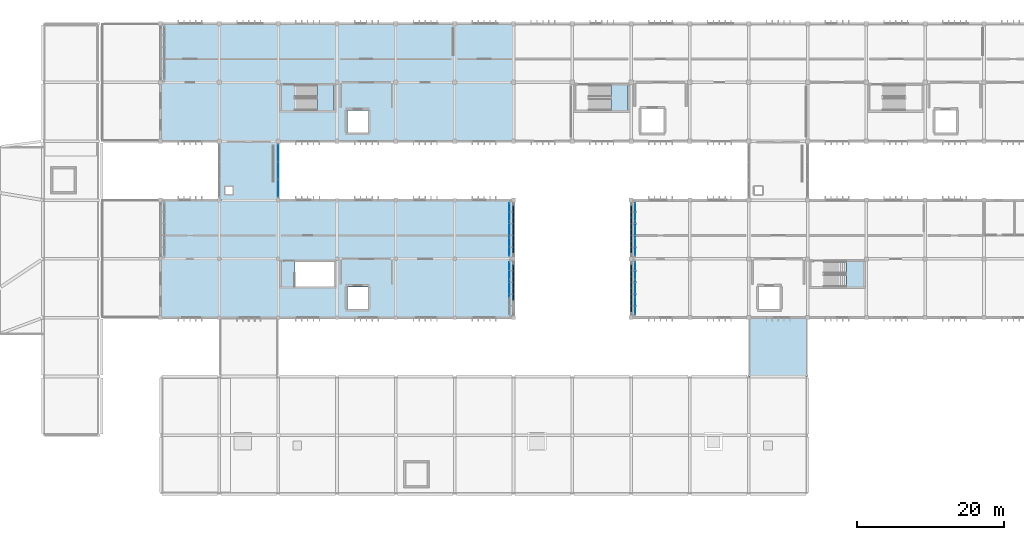
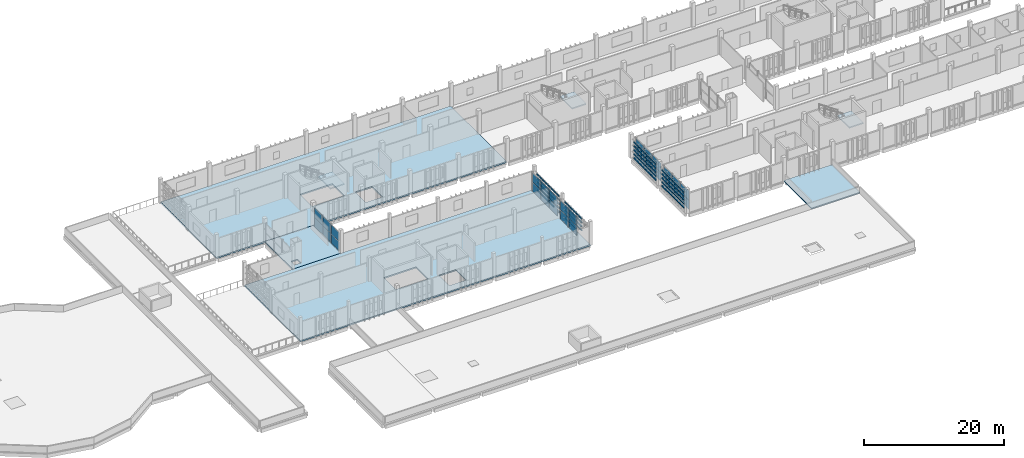
# One storey, part 28 of 48: 102 plates, 7 slabs, 8 elements without a shape of their own.
"""IFC4 building model written with IfcOpenShell, lengths in metres."""

from ifc_helpers import new_model, si_unit, direction, frame, origin, origin_2d, place, context, subcontext, project, spatial, polyline, rectangle, outline, extrude, material, layer, layer_set, type_object, element, aggregate, save


model = new_model("IFC4")

# Units and contexts
model_context = context("Model", 3, precision=1e-05, world=origin(), true_north=direction((0.0, 1.0)))
body_context = subcontext(model_context, "Body", "Model", "MODEL_VIEW")
ifc_project = project(units=[si_unit("LENGTHUNIT", "METRE"), si_unit("AREAUNIT", "SQUARE_METRE"), si_unit("VOLUMEUNIT", "CUBIC_METRE"), si_unit("PLANEANGLEUNIT", "RADIAN"), si_unit("MASSUNIT", "GRAM", prefix="KILO")], contexts=[model_context])

# Site, building, storey
site_placement = place(None, origin())
site = spatial("IfcSite", under=ifc_project, at=site_placement, CompositionType="ELEMENT")
building_placement = place(site_placement, origin())
building = spatial("IfcBuilding", under=site, at=building_placement, Name="Jelvoka-Kovrelna Polytechnic", CompositionType="ELEMENT")
storey_placement = place(building_placement, frame((0.0, 0.0, 22.199951171875)))
storey = spatial("IfcBuildingStorey", under=building, at=storey_placement, Name="L06", CompositionType="ELEMENT", Elevation=22.199951171875)

# Curtain wall, plates
ifc_material_1 = material(Name="Anodised aluminium 6063-T6", Category="aluminium")
ifc_layer_1 = layer(ifc_material_1, 0.159912109375)
ifc_layer_set_1 = layer_set([ifc_layer_1], Name="Anodised aluminium 6063-T6")
curtain_wall_type_1 = type_object("IfcCurtainWallType", Name="CW_Recessed_A", PredefinedType="NOTDEFINED", material=ifc_layer_set_1)
curtain_wall_1_placement = place(storey_placement, origin())
curtain_wall_1 = element("IfcCurtainWall", 1, at=curtain_wall_1_placement, inside=storey, type_object=curtain_wall_type_1, Name="L06 glazed curtain wall 036", PredefinedType="NOTDEFINED")
ifc_material_2 = material(Name="Solar-control double glazing", Category="glass")
ifc_layer_2 = layer(ifc_material_2, 0.028076171875)
ifc_layer_set_2 = layer_set([ifc_layer_2], Name="Solar-control double glazing")
plate_type_1 = type_object("IfcPlateType", Name="Panel_GP-01", PredefinedType="CURTAIN_PANEL", material=ifc_layer_set_2)
plate_1_placement = place(storey_placement, frame((111.43994140625, 38.385009765625, 0.052001953125), z_axis=(0.0, 0.0, 1.0), x_axis=(0.0, -1.0, 0.0)))
plate_1 = element("IfcPlate", 2, at=plate_1_placement, type_object=plate_type_1, Name="CW-01 panel 1.1", PredefinedType="CURTAIN_PANEL", context=body_context, shape_type="SweptSolid", body=[
    extrude(rectangle(XDim=2.326171875, YDim=0.028076171875, at=origin_2d()), origin(), (0.0, 0.0, 1.0), 1.60107421875),
])
plate_2_placement = place(storey_placement, frame((111.43994140625, 38.385009765625, 1.697021484375), z_axis=(0.0, 0.0, 1.0), x_axis=(0.0, -1.0, 0.0)))
plate_2 = element("IfcPlate", 3, at=plate_2_placement, type_object=plate_type_1, Name="CW-01 panel 1.2", PredefinedType="CURTAIN_PANEL", context=body_context, shape_type="SweptSolid", body=[
    extrude(rectangle(XDim=2.326171875, YDim=0.028076171875, at=origin_2d()), origin(), (0.0, 0.0, 1.0), 1.60107421875),
])
plate_3_placement = place(storey_placement, frame((111.43994140625, 36.0, 0.052001953125), z_axis=(0.0, 0.0, 1.0), x_axis=(0.0, -1.0, 0.0)))
plate_3 = element("IfcPlate", 4, at=plate_3_placement, type_object=plate_type_1, Name="CW-01 panel 2.1", PredefinedType="CURTAIN_PANEL", context=body_context, shape_type="SweptSolid", body=[
    extrude(rectangle(XDim=2.356201171875, YDim=0.028076171875, at=origin_2d()), origin(), (0.0, 0.0, 1.0), 1.60107421875),
])
plate_4_placement = place(storey_placement, frame((111.43994140625, 36.0, 1.697021484375), z_axis=(0.0, 0.0, 1.0), x_axis=(0.0, -1.0, 0.0)))
plate_4 = element("IfcPlate", 5, at=plate_4_placement, type_object=plate_type_1, Name="CW-01 panel 2.2", PredefinedType="CURTAIN_PANEL", context=body_context, shape_type="SweptSolid", body=[
    extrude(rectangle(XDim=2.356201171875, YDim=0.028076171875, at=origin_2d()), origin(), (0.0, 0.0, 1.0), 1.60107421875),
])
aggregate(curtain_wall_1, [plate_1, plate_2, plate_3, plate_4])

curtain_wall_2_placement = place(storey_placement, origin())
curtain_wall_2 = element("IfcCurtainWall", 6, at=curtain_wall_2_placement, inside=storey, type_object=curtain_wall_type_1, Name="L06 glazed curtain wall 037", PredefinedType="NOTDEFINED")
plate_5_placement = place(storey_placement, frame((111.43994140625, 46.385009765625, 0.052001953125), z_axis=(0.0, 0.0, 1.0), x_axis=(0.0, -1.0, 0.0)))
plate_5 = element("IfcPlate", 7, at=plate_5_placement, type_object=plate_type_1, Name="CW-01 panel 1.1", PredefinedType="CURTAIN_PANEL", context=body_context, shape_type="SweptSolid", body=[
    extrude(rectangle(XDim=2.326171875, YDim=0.028076171875, at=origin_2d()), origin(), (0.0, 0.0, 1.0), 1.60107421875),
])
plate_6_placement = place(storey_placement, frame((111.43994140625, 46.385009765625, 1.697021484375), z_axis=(0.0, 0.0, 1.0), x_axis=(0.0, -1.0, 0.0)))
plate_6 = element("IfcPlate", 8, at=plate_6_placement, type_object=plate_type_1, Name="CW-01 panel 1.2", PredefinedType="CURTAIN_PANEL", context=body_context, shape_type="SweptSolid", body=[
    extrude(rectangle(XDim=2.326171875, YDim=0.028076171875, at=origin_2d()), origin(), (0.0, 0.0, 1.0), 1.60107421875),
])
plate_7_placement = place(storey_placement, frame((111.43994140625, 44.0, 0.052001953125), z_axis=(0.0, 0.0, 1.0), x_axis=(0.0, -1.0, 0.0)))
plate_7 = element("IfcPlate", 9, at=plate_7_placement, type_object=plate_type_1, Name="CW-01 panel 2.1", PredefinedType="CURTAIN_PANEL", context=body_context, shape_type="SweptSolid", body=[
    extrude(rectangle(XDim=2.356201171875, YDim=0.028076171875, at=origin_2d()), origin(), (0.0, 0.0, 1.0), 1.60107421875),
])
plate_8_placement = place(storey_placement, frame((111.43994140625, 44.0, 1.697021484375), z_axis=(0.0, 0.0, 1.0), x_axis=(0.0, -1.0, 0.0)))
plate_8 = element("IfcPlate", 10, at=plate_8_placement, type_object=plate_type_1, Name="CW-01 panel 2.2", PredefinedType="CURTAIN_PANEL", context=body_context, shape_type="SweptSolid", body=[
    extrude(rectangle(XDim=2.356201171875, YDim=0.028076171875, at=origin_2d()), origin(), (0.0, 0.0, 1.0), 1.60107421875),
])
plate_9_placement = place(storey_placement, frame((111.43994140625, 41.614990234375, 0.052001953125), z_axis=(0.0, 0.0, 1.0), x_axis=(0.0, -1.0, 0.0)))
plate_9 = element("IfcPlate", 11, at=plate_9_placement, type_object=plate_type_1, Name="CW-01 panel 3.1", PredefinedType="CURTAIN_PANEL", context=body_context, shape_type="SweptSolid", body=[
    extrude(rectangle(XDim=2.326171875, YDim=0.028076171875, at=origin_2d()), origin(), (0.0, 0.0, 1.0), 1.60107421875),
])
plate_10_placement = place(storey_placement, frame((111.43994140625, 41.614990234375, 1.697021484375), z_axis=(0.0, 0.0, 1.0), x_axis=(0.0, -1.0, 0.0)))
plate_10 = element("IfcPlate", 12, at=plate_10_placement, type_object=plate_type_1, Name="CW-01 panel 3.2", PredefinedType="CURTAIN_PANEL", context=body_context, shape_type="SweptSolid", body=[
    extrude(rectangle(XDim=2.326171875, YDim=0.028076171875, at=origin_2d()), origin(), (0.0, 0.0, 1.0), 1.60107421875),
])
aggregate(curtain_wall_2, [plate_5, plate_6, plate_7, plate_8, plate_9, plate_10])

curtain_wall_3_placement = place(storey_placement, origin())
curtain_wall_3 = element("IfcCurtainWall", 13, at=curtain_wall_3_placement, inside=storey, type_object=curtain_wall_type_1, Name="L06 glazed curtain wall 074", PredefinedType="NOTDEFINED")
plate_11_placement = place(storey_placement, frame((128.56005859375, 33.614990234375, 0.052001953125), z_axis=(0.0, 0.0, 1.0), x_axis=(0.0, 1.0, 0.0)))
plate_11 = element("IfcPlate", 14, at=plate_11_placement, type_object=plate_type_1, Name="CW-01 panel 1.1", PredefinedType="CURTAIN_PANEL", context=body_context, shape_type="SweptSolid", body=[
    extrude(rectangle(XDim=2.326171875, YDim=0.028076171875, at=origin_2d()), origin(), (0.0, 0.0, 1.0), 1.60107421875),
])
plate_12_placement = place(storey_placement, frame((128.56005859375, 33.614990234375, 1.697021484375), z_axis=(0.0, 0.0, 1.0), x_axis=(0.0, 1.0, 0.0)))
plate_12 = element("IfcPlate", 15, at=plate_12_placement, type_object=plate_type_1, Name="CW-01 panel 1.2", PredefinedType="CURTAIN_PANEL", context=body_context, shape_type="SweptSolid", body=[
    extrude(rectangle(XDim=2.326171875, YDim=0.028076171875, at=origin_2d()), origin(), (0.0, 0.0, 1.0), 1.60107421875),
])
plate_13_placement = place(storey_placement, frame((128.56005859375, 36.0, 0.052001953125), z_axis=(0.0, 0.0, 1.0), x_axis=(0.0, 1.0, 0.0)))
plate_13 = element("IfcPlate", 16, at=plate_13_placement, type_object=plate_type_1, Name="CW-01 panel 2.1", PredefinedType="CURTAIN_PANEL", context=body_context, shape_type="SweptSolid", body=[
    extrude(rectangle(XDim=2.356201171875, YDim=0.028076171875, at=origin_2d()), origin(), (0.0, 0.0, 1.0), 1.60107421875),
])
plate_14_placement = place(storey_placement, frame((128.56005859375, 36.0, 1.697021484375), z_axis=(0.0, 0.0, 1.0), x_axis=(0.0, 1.0, 0.0)))
plate_14 = element("IfcPlate", 17, at=plate_14_placement, type_object=plate_type_1, Name="CW-01 panel 2.2", PredefinedType="CURTAIN_PANEL", context=body_context, shape_type="SweptSolid", body=[
    extrude(rectangle(XDim=2.356201171875, YDim=0.028076171875, at=origin_2d()), origin(), (0.0, 0.0, 1.0), 1.60107421875),
])
plate_15_placement = place(storey_placement, frame((128.56005859375, 38.385009765625, 0.052001953125), z_axis=(0.0, 0.0, 1.0), x_axis=(0.0, 1.0, 0.0)))
plate_15 = element("IfcPlate", 18, at=plate_15_placement, type_object=plate_type_1, Name="CW-01 panel 3.1", PredefinedType="CURTAIN_PANEL", context=body_context, shape_type="SweptSolid", body=[
    extrude(rectangle(XDim=2.326171875, YDim=0.028076171875, at=origin_2d()), origin(), (0.0, 0.0, 1.0), 1.60107421875),
])
plate_16_placement = place(storey_placement, frame((128.56005859375, 38.385009765625, 1.697021484375), z_axis=(0.0, 0.0, 1.0), x_axis=(0.0, 1.0, 0.0)))
plate_16 = element("IfcPlate", 19, at=plate_16_placement, type_object=plate_type_1, Name="CW-01 panel 3.2", PredefinedType="CURTAIN_PANEL", context=body_context, shape_type="SweptSolid", body=[
    extrude(rectangle(XDim=2.326171875, YDim=0.028076171875, at=origin_2d()), origin(), (0.0, 0.0, 1.0), 1.60107421875),
])
aggregate(curtain_wall_3, [plate_11, plate_12, plate_13, plate_14, plate_15, plate_16])

curtain_wall_4_placement = place(storey_placement, origin())
curtain_wall_4 = element("IfcCurtainWall", 20, at=curtain_wall_4_placement, inside=storey, type_object=curtain_wall_type_1, Name="L06 glazed curtain wall 075", PredefinedType="NOTDEFINED")
plate_17_placement = place(storey_placement, frame((128.56005859375, 41.614990234375, 0.052001953125), z_axis=(0.0, 0.0, 1.0), x_axis=(0.0, 1.0, 0.0)))
plate_17 = element("IfcPlate", 21, at=plate_17_placement, type_object=plate_type_1, Name="CW-01 panel 1.1", PredefinedType="CURTAIN_PANEL", context=body_context, shape_type="SweptSolid", body=[
    extrude(rectangle(XDim=2.326171875, YDim=0.028076171875, at=origin_2d()), origin(), (0.0, 0.0, 1.0), 1.60107421875),
])
plate_18_placement = place(storey_placement, frame((128.56005859375, 41.614990234375, 1.697021484375), z_axis=(0.0, 0.0, 1.0), x_axis=(0.0, 1.0, 0.0)))
plate_18 = element("IfcPlate", 22, at=plate_18_placement, type_object=plate_type_1, Name="CW-01 panel 1.2", PredefinedType="CURTAIN_PANEL", context=body_context, shape_type="SweptSolid", body=[
    extrude(rectangle(XDim=2.326171875, YDim=0.028076171875, at=origin_2d()), origin(), (0.0, 0.0, 1.0), 1.60107421875),
])
plate_19_placement = place(storey_placement, frame((128.56005859375, 44.0, 0.052001953125), z_axis=(0.0, 0.0, 1.0), x_axis=(0.0, 1.0, 0.0)))
plate_19 = element("IfcPlate", 23, at=plate_19_placement, type_object=plate_type_1, Name="CW-01 panel 2.1", PredefinedType="CURTAIN_PANEL", context=body_context, shape_type="SweptSolid", body=[
    extrude(rectangle(XDim=2.356201171875, YDim=0.028076171875, at=origin_2d()), origin(), (0.0, 0.0, 1.0), 1.60107421875),
])
plate_20_placement = place(storey_placement, frame((128.56005859375, 44.0, 1.697021484375), z_axis=(0.0, 0.0, 1.0), x_axis=(0.0, 1.0, 0.0)))
plate_20 = element("IfcPlate", 24, at=plate_20_placement, type_object=plate_type_1, Name="CW-01 panel 2.2", PredefinedType="CURTAIN_PANEL", context=body_context, shape_type="SweptSolid", body=[
    extrude(rectangle(XDim=2.356201171875, YDim=0.028076171875, at=origin_2d()), origin(), (0.0, 0.0, 1.0), 1.60107421875),
])
plate_21_placement = place(storey_placement, frame((128.56005859375, 46.385009765625, 0.052001953125), z_axis=(0.0, 0.0, 1.0), x_axis=(0.0, 1.0, 0.0)))
plate_21 = element("IfcPlate", 25, at=plate_21_placement, type_object=plate_type_1, Name="CW-01 panel 3.1", PredefinedType="CURTAIN_PANEL", context=body_context, shape_type="SweptSolid", body=[
    extrude(rectangle(XDim=2.326171875, YDim=0.028076171875, at=origin_2d()), origin(), (0.0, 0.0, 1.0), 1.60107421875),
])
plate_22_placement = place(storey_placement, frame((128.56005859375, 46.385009765625, 1.697021484375), z_axis=(0.0, 0.0, 1.0), x_axis=(0.0, 1.0, 0.0)))
plate_22 = element("IfcPlate", 26, at=plate_22_placement, type_object=plate_type_1, Name="CW-01 panel 3.2", PredefinedType="CURTAIN_PANEL", context=body_context, shape_type="SweptSolid", body=[
    extrude(rectangle(XDim=2.326171875, YDim=0.028076171875, at=origin_2d()), origin(), (0.0, 0.0, 1.0), 1.60107421875),
])
aggregate(curtain_wall_4, [plate_17, plate_18, plate_19, plate_20, plate_21, plate_22])

ifc_material_3 = material(Name="Anodised aluminium 6063-T6", Category="aluminium")
ifc_layer_3 = layer(ifc_material_3, 0.159912109375)
ifc_layer_set_3 = layer_set([ifc_layer_3], Name="Anodised aluminium 6063-T6")
curtain_wall_type_2 = type_object("IfcCurtainWallType", Name="CW_LinkBridge", PredefinedType="NOTDEFINED", material=ifc_layer_set_3)
curtain_wall_5_placement = place(storey_placement, origin())
curtain_wall_5 = element("IfcCurtainWall", 27, at=curtain_wall_5_placement, inside=storey, type_object=curtain_wall_type_2, Name="L06 glazed curtain wall 160", PredefinedType="NOTDEFINED")
ifc_material_4 = material(Name="Solar-control double glazing", Category="glass")
ifc_layer_4 = layer(ifc_material_4, 0.02392578125)
ifc_layer_set_4 = layer_set([ifc_layer_4], Name="Solar-control double glazing")
plate_type_2 = type_object("IfcPlateType", Name="Panel_GP-04", PredefinedType="CURTAIN_PANEL", material=ifc_layer_set_4)
plate_23_placement = place(storey_placement, frame((80.0, 54.385009765625, 0.052001953125), z_axis=(0.0, 0.0, 1.0), x_axis=(0.0, -1.0, 0.0)))
plate_23 = element("IfcPlate", 28, at=plate_23_placement, type_object=plate_type_2, Name="CW-04 panel 1.1", PredefinedType="CURTAIN_PANEL", context=body_context, shape_type="SweptSolid", body=[
    extrude(rectangle(XDim=2.326171875, YDim=0.02392578125, at=origin_2d()), origin(), (0.0, 0.0, 1.0), 1.60107421875),
])
plate_24_placement = place(storey_placement, frame((80.0, 54.385009765625, 1.697021484375), z_axis=(0.0, 0.0, 1.0), x_axis=(0.0, -1.0, 0.0)))
plate_24 = element("IfcPlate", 29, at=plate_24_placement, type_object=plate_type_2, Name="CW-04 panel 1.2", PredefinedType="CURTAIN_PANEL", context=body_context, shape_type="SweptSolid", body=[
    extrude(rectangle(XDim=2.326171875, YDim=0.02392578125, at=origin_2d()), origin(), (0.0, 0.0, 1.0), 1.60107421875),
])
plate_25_placement = place(storey_placement, frame((80.0, 52.0, 0.052001953125), z_axis=(0.0, 0.0, 1.0), x_axis=(0.0, -1.0, 0.0)))
plate_25 = element("IfcPlate", 30, at=plate_25_placement, type_object=plate_type_2, Name="CW-04 panel 2.1", PredefinedType="CURTAIN_PANEL", context=body_context, shape_type="SweptSolid", body=[
    extrude(rectangle(XDim=2.356201171875, YDim=0.02392578125, at=origin_2d()), origin(), (0.0, 0.0, 1.0), 1.60107421875),
])
plate_26_placement = place(storey_placement, frame((80.0, 52.0, 1.697021484375), z_axis=(0.0, 0.0, 1.0), x_axis=(0.0, -1.0, 0.0)))
plate_26 = element("IfcPlate", 31, at=plate_26_placement, type_object=plate_type_2, Name="CW-04 panel 2.2", PredefinedType="CURTAIN_PANEL", context=body_context, shape_type="SweptSolid", body=[
    extrude(rectangle(XDim=2.356201171875, YDim=0.02392578125, at=origin_2d()), origin(), (0.0, 0.0, 1.0), 1.60107421875),
])
plate_27_placement = place(storey_placement, frame((80.0, 49.614990234375, 0.052001953125), z_axis=(0.0, 0.0, 1.0), x_axis=(0.0, -1.0, 0.0)))
plate_27 = element("IfcPlate", 32, at=plate_27_placement, type_object=plate_type_2, Name="CW-04 panel 3.1", PredefinedType="CURTAIN_PANEL", context=body_context, shape_type="SweptSolid", body=[
    extrude(rectangle(XDim=2.326171875, YDim=0.02392578125, at=origin_2d()), origin(), (0.0, 0.0, 1.0), 1.60107421875),
])
plate_28_placement = place(storey_placement, frame((80.0, 49.614990234375, 1.697021484375), z_axis=(0.0, 0.0, 1.0), x_axis=(0.0, -1.0, 0.0)))
plate_28 = element("IfcPlate", 33, at=plate_28_placement, type_object=plate_type_2, Name="CW-04 panel 3.2", PredefinedType="CURTAIN_PANEL", context=body_context, shape_type="SweptSolid", body=[
    extrude(rectangle(XDim=2.326171875, YDim=0.02392578125, at=origin_2d()), origin(), (0.0, 0.0, 1.0), 1.60107421875),
])
aggregate(curtain_wall_5, [plate_23, plate_24, plate_25, plate_26, plate_27, plate_28])

# Plates
ifc_material_5 = material(Name="Perforated fired terracotta block", Category="masonry")
ifc_layer_5 = layer(ifc_material_5, 0.159912109375)
ifc_layer_set_5 = layer_set([ifc_layer_5], Name="Perforated fired terracotta block")
plate_type_3 = type_object("IfcPlateType", Name="Screen_Terracotta_TP01", PredefinedType="USERDEFINED", material=ifc_layer_set_5)
for number, where, z_axis, x_axis, name in (
    (34, (111.97998046875, 35.199951171875, 0.892578125), (0.0, 0.0, 1.0), (0.0, 1.0, 0.0), "L06 perforated terracotta lattice band 0387"),
    (35, (111.97998046875, 35.199951171875, 1.5849609375), (0.0, 0.0, 1.0), (0.0, 1.0, 0.0), "L06 perforated terracotta lattice band 0388"),
    (36, (111.97998046875, 35.199951171875, 2.27734375), (0.0, 0.0, 1.0), (0.0, 1.0, 0.0), "L06 perforated terracotta lattice band 0389"),
    (37, (111.97998046875, 35.199951171875, 2.97021484375), (0.0, 0.0, 1.0), (0.0, 1.0, 0.0), "L06 perforated terracotta lattice band 0390"),
    (38, (111.97998046875, 36.800048828125, 0.2001953125), (0.0, 0.0, 1.0), (0.0, 1.0, 0.0), "L06 perforated terracotta lattice band 0391"),
    (39, (111.97998046875, 36.800048828125, 0.892578125), (0.0, 0.0, 1.0), (0.0, 1.0, 0.0), "L06 perforated terracotta lattice band 0392"),
    (40, (111.97998046875, 36.800048828125, 1.5849609375), (0.0, 0.0, 1.0), (0.0, 1.0, 0.0), "L06 perforated terracotta lattice band 0393"),
    (41, (111.97998046875, 36.800048828125, 2.27734375), (0.0, 0.0, 1.0), (0.0, 1.0, 0.0), "L06 perforated terracotta lattice band 0394"),
    (42, (111.97998046875, 36.800048828125, 2.97021484375), (0.0, 0.0, 1.0), (0.0, 1.0, 0.0), "L06 perforated terracotta lattice band 0395"),
    (43, (111.97998046875, 38.39990234375, 0.2001953125), (0.0, 0.0, 1.0), (0.0, 1.0, 0.0), "L06 perforated terracotta lattice band 0396"),
    (44, (111.97998046875, 38.39990234375, 0.892578125), (0.0, 0.0, 1.0), (0.0, 1.0, 0.0), "L06 perforated terracotta lattice band 0397"),
    (45, (111.97998046875, 38.39990234375, 1.5849609375), (0.0, 0.0, 1.0), (0.0, 1.0, 0.0), "L06 perforated terracotta lattice band 0398"),
    (46, (111.97998046875, 38.39990234375, 2.27734375), (0.0, 0.0, 1.0), (0.0, 1.0, 0.0), "L06 perforated terracotta lattice band 0399"),
    (47, (111.97998046875, 38.39990234375, 2.97021484375), (0.0, 0.0, 1.0), (0.0, 1.0, 0.0), "L06 perforated terracotta lattice band 0400"),
    (48, (111.97998046875, 41.60009765625, 0.2001953125), (0.0, 0.0, 1.0), (0.0, 1.0, 0.0), "L06 perforated terracotta lattice band 0401"),
    (49, (111.97998046875, 41.60009765625, 0.892578125), (0.0, 0.0, 1.0), (0.0, 1.0, 0.0), "L06 perforated terracotta lattice band 0402"),
    (50, (111.97998046875, 41.60009765625, 1.5849609375), (0.0, 0.0, 1.0), (0.0, 1.0, 0.0), "L06 perforated terracotta lattice band 0403"),
    (51, (111.97998046875, 41.60009765625, 2.27734375), (0.0, 0.0, 1.0), (0.0, 1.0, 0.0), "L06 perforated terracotta lattice band 0404"),
    (52, (111.97998046875, 41.60009765625, 2.97021484375), (0.0, 0.0, 1.0), (0.0, 1.0, 0.0), "L06 perforated terracotta lattice band 0405"),
    (53, (111.97998046875, 43.199951171875, 0.2001953125), (0.0, 0.0, 1.0), (0.0, 1.0, 0.0), "L06 perforated terracotta lattice band 0406"),
    (54, (111.97998046875, 43.199951171875, 0.892578125), (0.0, 0.0, 1.0), (0.0, 1.0, 0.0), "L06 perforated terracotta lattice band 0407"),
    (55, (111.97998046875, 43.199951171875, 1.5849609375), (0.0, 0.0, 1.0), (0.0, 1.0, 0.0), "L06 perforated terracotta lattice band 0408"),
    (56, (111.97998046875, 43.199951171875, 2.27734375), (0.0, 0.0, 1.0), (0.0, 1.0, 0.0), "L06 perforated terracotta lattice band 0409"),
    (57, (111.97998046875, 43.199951171875, 2.97021484375), (0.0, 0.0, 1.0), (0.0, 1.0, 0.0), "L06 perforated terracotta lattice band 0410"),
    (58, (111.97998046875, 44.800048828125, 0.2001953125), (0.0, 0.0, 1.0), (0.0, 1.0, 0.0), "L06 perforated terracotta lattice band 0411"),
    (59, (111.97998046875, 44.800048828125, 0.892578125), (0.0, 0.0, 1.0), (0.0, 1.0, 0.0), "L06 perforated terracotta lattice band 0412"),
    (60, (111.97998046875, 44.800048828125, 1.5849609375), (0.0, 0.0, 1.0), (0.0, 1.0, 0.0), "L06 perforated terracotta lattice band 0413"),
    (61, (111.97998046875, 44.800048828125, 2.27734375), (0.0, 0.0, 1.0), (0.0, 1.0, 0.0), "L06 perforated terracotta lattice band 0414"),
    (62, (111.97998046875, 44.800048828125, 2.97021484375), (0.0, 0.0, 1.0), (0.0, 1.0, 0.0), "L06 perforated terracotta lattice band 0415"),
    (63, (111.97998046875, 46.39990234375, 0.2001953125), (0.0, 0.0, 1.0), (0.0, 1.0, 0.0), "L06 perforated terracotta lattice band 0416"),
    (64, (111.97998046875, 46.39990234375, 0.892578125), (0.0, 0.0, 1.0), (0.0, 1.0, 0.0), "L06 perforated terracotta lattice band 0417"),
    (65, (111.97998046875, 46.39990234375, 1.5849609375), (0.0, 0.0, 1.0), (0.0, 1.0, 0.0), "L06 perforated terracotta lattice band 0418"),
    (66, (111.97998046875, 46.39990234375, 2.27734375), (0.0, 0.0, 1.0), (0.0, 1.0, 0.0), "L06 perforated terracotta lattice band 0419"),
    (67, (111.97998046875, 46.39990234375, 2.97021484375), (0.0, 0.0, 1.0), (0.0, 1.0, 0.0), "L06 perforated terracotta lattice band 0420"),
):
    element("IfcPlate", number, at=place(storey_placement, frame(where, z_axis=z_axis, x_axis=x_axis)), inside=storey, type_object=plate_type_3, Name=name, ObjectType="SCREEN PANEL", PredefinedType="USERDEFINED", context=body_context, shape_type="SweptSolid", body=[
        extrude(rectangle(XDim=1.60009765625, YDim=0.159912109375, at=origin_2d()), origin(), (0.0, 0.0, 1.0), 0.239990234375),
    ])
ifc_material_6 = material(Name="Perforated fired terracotta block", Category="masonry")
ifc_layer_6 = layer(ifc_material_6, 0.179931640625)
ifc_layer_set_6 = layer_set([ifc_layer_6], Name="Perforated fired terracotta block")
plate_type_4 = type_object("IfcPlateType", Name="Screen_Terracotta_TP02", PredefinedType="USERDEFINED", material=ifc_layer_set_6)
for number, where, z_axis, x_axis, name in (
    (68, (128.02001953125, 33.60009765625, 0.2001953125), (0.0, 0.0, 1.0), (0.0, 1.0, 0.0), "L06 perforated terracotta lattice band 0821"),
    (69, (128.02001953125, 33.60009765625, 0.892578125), (0.0, 0.0, 1.0), (0.0, 1.0, 0.0), "L06 perforated terracotta lattice band 0822"),
    (70, (128.02001953125, 33.60009765625, 1.5849609375), (0.0, 0.0, 1.0), (0.0, 1.0, 0.0), "L06 perforated terracotta lattice band 0823"),
    (71, (128.02001953125, 33.60009765625, 2.27734375), (0.0, 0.0, 1.0), (0.0, 1.0, 0.0), "L06 perforated terracotta lattice band 0824"),
    (72, (128.02001953125, 33.60009765625, 2.97021484375), (0.0, 0.0, 1.0), (0.0, 1.0, 0.0), "L06 perforated terracotta lattice band 0825"),
    (73, (128.02001953125, 35.199951171875, 0.2001953125), (0.0, 0.0, 1.0), (0.0, 1.0, 0.0), "L06 perforated terracotta lattice band 0826"),
    (74, (128.02001953125, 35.199951171875, 0.892578125), (0.0, 0.0, 1.0), (0.0, 1.0, 0.0), "L06 perforated terracotta lattice band 0827"),
    (75, (128.02001953125, 35.199951171875, 1.5849609375), (0.0, 0.0, 1.0), (0.0, 1.0, 0.0), "L06 perforated terracotta lattice band 0828"),
    (76, (128.02001953125, 35.199951171875, 2.27734375), (0.0, 0.0, 1.0), (0.0, 1.0, 0.0), "L06 perforated terracotta lattice band 0829"),
    (77, (128.02001953125, 35.199951171875, 2.97021484375), (0.0, 0.0, 1.0), (0.0, 1.0, 0.0), "L06 perforated terracotta lattice band 0830"),
    (78, (128.02001953125, 36.800048828125, 0.2001953125), (0.0, 0.0, 1.0), (0.0, 1.0, 0.0), "L06 perforated terracotta lattice band 0831"),
    (79, (128.02001953125, 36.800048828125, 0.892578125), (0.0, 0.0, 1.0), (0.0, 1.0, 0.0), "L06 perforated terracotta lattice band 0832"),
    (80, (128.02001953125, 36.800048828125, 1.5849609375), (0.0, 0.0, 1.0), (0.0, 1.0, 0.0), "L06 perforated terracotta lattice band 0833"),
    (81, (128.02001953125, 36.800048828125, 2.27734375), (0.0, 0.0, 1.0), (0.0, 1.0, 0.0), "L06 perforated terracotta lattice band 0834"),
    (82, (128.02001953125, 36.800048828125, 2.97021484375), (0.0, 0.0, 1.0), (0.0, 1.0, 0.0), "L06 perforated terracotta lattice band 0835"),
    (83, (128.02001953125, 38.39990234375, 0.2001953125), (0.0, 0.0, 1.0), (0.0, 1.0, 0.0), "L06 perforated terracotta lattice band 0836"),
    (84, (128.02001953125, 38.39990234375, 0.892578125), (0.0, 0.0, 1.0), (0.0, 1.0, 0.0), "L06 perforated terracotta lattice band 0837"),
    (85, (128.02001953125, 38.39990234375, 1.5849609375), (0.0, 0.0, 1.0), (0.0, 1.0, 0.0), "L06 perforated terracotta lattice band 0838"),
    (86, (128.02001953125, 38.39990234375, 2.27734375), (0.0, 0.0, 1.0), (0.0, 1.0, 0.0), "L06 perforated terracotta lattice band 0839"),
    (87, (128.02001953125, 38.39990234375, 2.97021484375), (0.0, 0.0, 1.0), (0.0, 1.0, 0.0), "L06 perforated terracotta lattice band 0840"),
    (88, (128.02001953125, 41.60009765625, 0.2001953125), (0.0, 0.0, 1.0), (0.0, 1.0, 0.0), "L06 perforated terracotta lattice band 0841"),
    (89, (128.02001953125, 41.60009765625, 0.892578125), (0.0, 0.0, 1.0), (0.0, 1.0, 0.0), "L06 perforated terracotta lattice band 0842"),
    (90, (128.02001953125, 41.60009765625, 1.5849609375), (0.0, 0.0, 1.0), (0.0, 1.0, 0.0), "L06 perforated terracotta lattice band 0843"),
    (91, (128.02001953125, 41.60009765625, 2.27734375), (0.0, 0.0, 1.0), (0.0, 1.0, 0.0), "L06 perforated terracotta lattice band 0844"),
    (92, (128.02001953125, 41.60009765625, 2.97021484375), (0.0, 0.0, 1.0), (0.0, 1.0, 0.0), "L06 perforated terracotta lattice band 0845"),
    (93, (128.02001953125, 43.199951171875, 0.2001953125), (0.0, 0.0, 1.0), (0.0, 1.0, 0.0), "L06 perforated terracotta lattice band 0846"),
    (94, (128.02001953125, 43.199951171875, 0.892578125), (0.0, 0.0, 1.0), (0.0, 1.0, 0.0), "L06 perforated terracotta lattice band 0847"),
    (95, (128.02001953125, 43.199951171875, 1.5849609375), (0.0, 0.0, 1.0), (0.0, 1.0, 0.0), "L06 perforated terracotta lattice band 0848"),
    (96, (128.02001953125, 43.199951171875, 2.27734375), (0.0, 0.0, 1.0), (0.0, 1.0, 0.0), "L06 perforated terracotta lattice band 0849"),
    (97, (128.02001953125, 43.199951171875, 2.97021484375), (0.0, 0.0, 1.0), (0.0, 1.0, 0.0), "L06 perforated terracotta lattice band 0850"),
    (98, (128.02001953125, 44.800048828125, 0.2001953125), (0.0, 0.0, 1.0), (0.0, 1.0, 0.0), "L06 perforated terracotta lattice band 0851"),
    (99, (128.02001953125, 44.800048828125, 0.892578125), (0.0, 0.0, 1.0), (0.0, 1.0, 0.0), "L06 perforated terracotta lattice band 0852"),
    (100, (128.02001953125, 44.800048828125, 1.5849609375), (0.0, 0.0, 1.0), (0.0, 1.0, 0.0), "L06 perforated terracotta lattice band 0853"),
    (101, (128.02001953125, 44.800048828125, 2.27734375), (0.0, 0.0, 1.0), (0.0, 1.0, 0.0), "L06 perforated terracotta lattice band 0854"),
    (102, (128.02001953125, 44.800048828125, 2.97021484375), (0.0, 0.0, 1.0), (0.0, 1.0, 0.0), "L06 perforated terracotta lattice band 0855"),
    (103, (128.02001953125, 46.39990234375, 0.2001953125), (0.0, 0.0, 1.0), (0.0, 1.0, 0.0), "L06 perforated terracotta lattice band 0856"),
    (104, (128.02001953125, 46.39990234375, 0.892578125), (0.0, 0.0, 1.0), (0.0, 1.0, 0.0), "L06 perforated terracotta lattice band 0857"),
    (105, (128.02001953125, 46.39990234375, 1.5849609375), (0.0, 0.0, 1.0), (0.0, 1.0, 0.0), "L06 perforated terracotta lattice band 0858"),
    (106, (128.02001953125, 46.39990234375, 2.27734375), (0.0, 0.0, 1.0), (0.0, 1.0, 0.0), "L06 perforated terracotta lattice band 0859"),
    (107, (128.02001953125, 46.39990234375, 2.97021484375), (0.0, 0.0, 1.0), (0.0, 1.0, 0.0), "L06 perforated terracotta lattice band 0860"),
):
    element("IfcPlate", number, at=place(storey_placement, frame(where, z_axis=z_axis, x_axis=x_axis)), inside=storey, type_object=plate_type_4, Name=name, ObjectType="SCREEN PANEL", PredefinedType="USERDEFINED", context=body_context, shape_type="SweptSolid", body=[
        extrude(rectangle(XDim=1.60009765625, YDim=0.179931640625, at=origin_2d()), origin(), (0.0, 0.0, 1.0), 0.239990234375),
    ])

# Slabs
ifc_material_7 = material(Name="Concrete C35/45", Category="concrete")
ifc_layer_7 = layer(ifc_material_7, 0.239990234375)
ifc_layer_set_7 = layer_set([ifc_layer_7], Name="Concrete C35/45")
slab_type_1 = type_object("IfcSlabType", Name="Slab_Floor_240", PredefinedType="FLOOR", material=ifc_layer_set_7)
slab_1_placement = place(storey_placement, frame((0.0, 0.0, -0.239990234375)))
element("IfcSlab", 108, at=slab_1_placement, inside=storey, type_object=slab_type_1, Name="L06 B2W structural slab", PredefinedType="FLOOR", context=body_context, shape_type="SweptSolid", body=[
    extrude(outline(polyline([(64.0, 32.0), (112.0, 32.0), (112.0, 48.0), (64.0, 48.0), (64.0, 32.0)]), holes=[polyline([(89.39990234375, 33.199951171875), (92.199951171875, 33.199951171875), (92.199951171875, 36.199951171875), (89.39990234375, 36.199951171875), (89.39990234375, 33.199951171875)]), polyline([(82.264892578125, 36.199951171875), (87.60009765625, 36.199951171875), (87.60009765625, 39.639892578125), (82.264892578125, 39.639892578125), (82.264892578125, 36.199951171875)])]), origin(), (0.0, 0.0, 1.0), 0.239990234375),
])
slab_2_placement = place(storey_placement, frame((0.0, 0.0, -0.239990234375)))
element("IfcSlab", 109, at=slab_2_placement, inside=storey, type_object=slab_type_1, Name="L06 B3W structural slab", PredefinedType="FLOOR", context=body_context, shape_type="SweptSolid", body=[
    extrude(outline(polyline([(64.0, 56.0), (112.0, 56.0), (112.0, 72.0), (64.0, 72.0), (64.0, 56.0)]), holes=[polyline([(89.39990234375, 57.199951171875), (92.199951171875, 57.199951171875), (92.199951171875, 60.199951171875), (89.39990234375, 60.199951171875), (89.39990234375, 57.199951171875)]), polyline([(82.264892578125, 60.199951171875), (87.60009765625, 60.199951171875), (87.60009765625, 63.639892578125), (82.264892578125, 63.639892578125), (82.264892578125, 60.199951171875)])]), origin(), (0.0, 0.0, 1.0), 0.239990234375),
])
slab_3_placement = place(storey_placement, frame((0.0, 0.0, -0.239990234375)))
element("IfcSlab", 110, at=slab_3_placement, inside=storey, type_object=slab_type_1, Name="L06 LNKNW structural slab", PredefinedType="FLOOR", context=body_context, shape_type="SweptSolid", body=[
    extrude(outline(polyline([(72.0, 48.0), (80.0, 48.0), (80.0, 56.0), (72.0, 56.0), (72.0, 48.0)]), holes=[polyline([(72.800048828125, 48.800048828125), (73.800048828125, 48.800048828125), (73.800048828125, 49.800048828125), (72.800048828125, 49.800048828125), (72.800048828125, 48.800048828125)])]), origin(), (0.0, 0.0, 1.0), 0.239990234375),
])
ifc_material_8 = material(Name="Concrete C35/45", Category="concrete")
ifc_layer_8 = layer(ifc_material_8, 0.2099609375)
ifc_layer_set_8 = layer_set([ifc_layer_8], Name="Concrete C35/45")
slab_type_2 = type_object("IfcSlabType", Name="Slab_Roof_Flat_210", PredefinedType="ROOF", material=ifc_layer_set_8)
slab_4_placement = place(storey_placement, frame((0.0, 0.0, -0.2099609375)))
element("IfcSlab", 111, at=slab_4_placement, inside=storey, type_object=slab_type_2, Name="L06 courtyard link LNKSE roof", PredefinedType="ROOF", context=body_context, shape_type="SweptSolid", body=[
    extrude(outline(polyline([(144.0, 24.0), (152.0, 24.0), (152.0, 32.0), (144.0, 32.0), (144.0, 24.0)])), origin(), (0.0, 0.0, 1.0), 0.2099609375),
])

# Stair, slab
ifc_material_9 = material(Name="Concrete C35/45", Category="concrete")
stair_type_1 = type_object("IfcStairType", Name="Stair_Dogleg_1620", PredefinedType="TWO_STRAIGHT_RUN_STAIR", material=ifc_material_9)
stair_1_placement = place(storey_placement, origin())
stair_1 = element("IfcStair", 112, at=stair_1_placement, inside=storey, type_object=stair_type_1, Name="L06 ST08", PredefinedType="TWO_STRAIGHT_RUN_STAIR")
ifc_material_10 = material(Name="Concrete C35/45", Category="concrete")
ifc_layer_9 = layer(ifc_material_10, 0.199951171875)
ifc_layer_set_9 = layer_set([ifc_layer_9], Name="Concrete C35/45")
slab_type_3 = type_object("IfcSlabType", Name="Slab_Stair_Landing_200", PredefinedType="LANDING", material=ifc_layer_set_9)
slab_5_placement = place(storey_placement, frame((0.0, 0.0, 1.900146484375)))
slab_5 = element("IfcSlab", 113, at=slab_5_placement, type_object=slab_type_3, Name="ST08 landing 1", PredefinedType="LANDING", context=body_context, shape_type="SweptSolid", body=[
    extrude(outline(polyline([(157.27490234375, 36.199951171875), (159.60009765625, 36.199951171875), (159.60009765625, 39.639892578125), (157.27490234375, 39.639892578125), (157.27490234375, 36.199951171875)])), origin(), (0.0, 0.0, 1.0), 0.199951171875),
])
aggregate(stair_1, [slab_5])

stair_2_placement = place(storey_placement, origin())
stair_2 = element("IfcStair", 114, at=stair_2_placement, inside=storey, type_object=stair_type_1, Name="L06 ST09", PredefinedType="TWO_STRAIGHT_RUN_STAIR")
slab_6_placement = place(storey_placement, frame((0.0, 0.0, 1.900146484375)))
slab_6 = element("IfcSlab", 115, at=slab_6_placement, type_object=slab_type_3, Name="ST09 landing 1", PredefinedType="LANDING", context=body_context, shape_type="SweptSolid", body=[
    extrude(outline(polyline([(85.27490234375, 60.199951171875), (87.60009765625, 60.199951171875), (87.60009765625, 63.639892578125), (85.27490234375, 63.639892578125), (85.27490234375, 60.199951171875)])), origin(), (0.0, 0.0, 1.0), 0.199951171875),
])
aggregate(stair_2, [slab_6])

ifc_material_11 = material(Name="Concrete C35/45", Category="concrete")
stair_type_2 = type_object("IfcStairType", Name="Stair_Dogleg_1580", PredefinedType="TWO_STRAIGHT_RUN_STAIR", material=ifc_material_11)
stair_3_placement = place(storey_placement, origin())
stair_3 = element("IfcStair", 116, at=stair_3_placement, inside=storey, type_object=stair_type_2, Name="L06 ST11", PredefinedType="TWO_STRAIGHT_RUN_STAIR")
slab_7_placement = place(storey_placement, frame((0.0, 0.0, 1.900146484375)))
slab_7 = element("IfcSlab", 117, at=slab_7_placement, type_object=slab_type_3, Name="ST11 landing 1", PredefinedType="LANDING", context=body_context, shape_type="SweptSolid", body=[
    extrude(outline(polyline([(125.27490234375, 60.199951171875), (127.60009765625, 60.199951171875), (127.60009765625, 63.639892578125), (125.27490234375, 63.639892578125), (125.27490234375, 60.199951171875)])), origin(), (0.0, 0.0, 1.0), 0.199951171875),
])
aggregate(stair_3, [slab_7])

save(model, "model.ifc")
